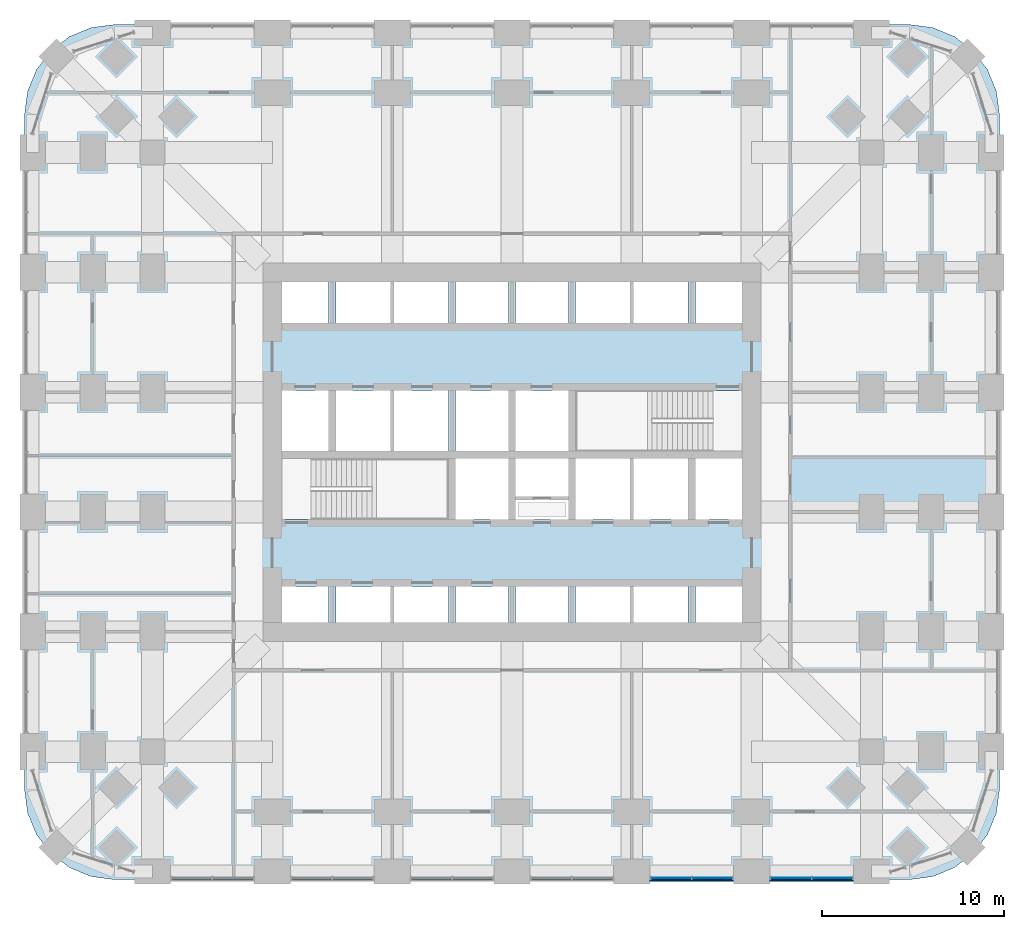
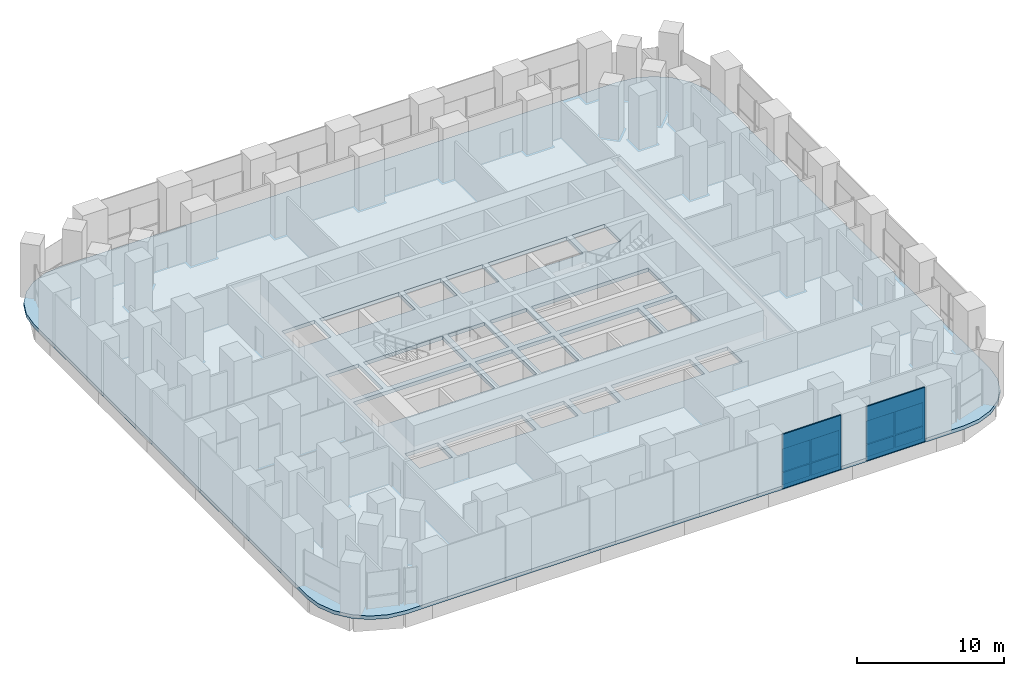
# One storey, part 8 of 17: 10 plates, 1 slab, 2 elements without a shape of their own.
"""IFC4 building model written with IfcOpenShell, lengths in metres."""

from ifc_helpers import new_model, si_unit, direction, frame, origin, origin_2d, place, context, subcontext, project, spatial, polyline, rectangle, outline, extrude, material, layer, layer_set, type_object, element, aggregate, save


model = new_model("IFC4")

# Units and contexts
model_context = context("Model", 3, precision=1e-05, world=origin(), true_north=direction((0.0, 1.0)))
body_context = subcontext(model_context, "Body", "Model", "MODEL_VIEW")
ifc_project = project(units=[si_unit("LENGTHUNIT", "METRE"), si_unit("AREAUNIT", "SQUARE_METRE"), si_unit("VOLUMEUNIT", "CUBIC_METRE"), si_unit("PLANEANGLEUNIT", "RADIAN"), si_unit("MASSUNIT", "GRAM", prefix="KILO")], contexts=[model_context])

# Site, building, storey
site_placement = place(None, origin())
site = spatial("IfcSite", under=ifc_project, at=site_placement, CompositionType="ELEMENT")
building_placement = place(site_placement, origin())
building = spatial("IfcBuilding", under=site, at=building_placement, Name="Cobogo Forest Laboratory Tower", CompositionType="ELEMENT")
storey_placement = place(building_placement, frame((0.0, 0.0, 12.60009765625)))
storey = spatial("IfcBuildingStorey", under=building, at=storey_placement, Name="L02", CompositionType="ELEMENT", Elevation=12.60009765625)

# Plates
ifc_material_1 = material(Name="Pierced concrete block", Category="concrete")
ifc_layer_1 = layer(ifc_material_1, 0.10009765625)
ifc_layer_set_1 = layer_set([ifc_layer_1], Name="CO1 cobogo block screen 100")
plate_type_1 = type_object("IfcPlateType", Name="CO1 cobogo block screen 100", PredefinedType="USERDEFINED", material=ifc_layer_set_1)
for number, where, z_axis, x_axis, name in (
    (1, (36.300048828125, -0.5, -0.150146484375), (0.0, 0.0, 1.0), (1.0, 0.0, 0.0), "Cobogo screen S5 L02"),
    (2, (42.89990234375, -0.5, -0.150146484375), (0.0, 0.0, 1.0), (1.0, 0.0, 0.0), "Cobogo screen S6 L02"),
):
    element("IfcPlate", number, at=place(storey_placement, frame(where, z_axis=z_axis, x_axis=x_axis)), inside=storey, type_object=plate_type_1, Name=name, ObjectType="COBOGO SCREEN", PredefinedType="USERDEFINED", context=body_context, shape_type="SweptSolid", body=[
        extrude(rectangle(XDim=4.60009765625, YDim=0.10009765625, at=origin_2d()), origin(), (0.0, 0.0, 1.0), 4.5),
    ])

# Slab
ifc_material_2 = material(Name="Concrete HA-40 (C40/50)", Category="concrete")
ifc_layer_2 = layer(ifc_material_2, 0.300048828125)
ifc_layer_set_2 = layer_set([ifc_layer_2], Name="Floor slab 300")
slab_type = type_object("IfcSlabType", Name="Floor slab 300", PredefinedType="FLOOR", material=ifc_layer_set_2)
slab_placement = place(storey_placement, frame((0.0, 0.0, -0.300048828125)))
element("IfcSlab", 3, at=slab_placement, inside=storey, type_object=slab_type, Name="L02 floor slab", PredefinedType="FLOOR", context=body_context, shape_type="SweptSolid", body=[
    extrude(outline(polyline([(48.300048828125, -0.449951171875), (49.5810546875, -0.28125), (50.77490234375, 0.213134765625), (51.80029296875, 0.999755859375), (52.5869140625, 2.02490234375), (53.081298828125, 3.21875), (53.25, 4.5), (53.25, 41.699951171875), (53.081298828125, 42.981201171875), (52.5869140625, 44.175048828125), (51.80029296875, 45.2001953125), (50.77490234375, 45.98681640625), (49.5810546875, 46.4814453125), (48.300048828125, 46.64990234375), (4.5, 46.64990234375), (3.21875, 46.4814453125), (2.02490234375, 45.98681640625), (0.999755859375, 45.2001953125), (0.213134765625, 44.175048828125), (-0.28125, 42.981201171875), (-0.449951171875, 41.699951171875), (-0.449951171875, 4.5), (-0.28125, 3.21875), (0.213134765625, 2.02490234375), (0.999755859375, 0.999755859375), (2.02490234375, 0.213134765625), (3.21875, -0.28125), (4.5, -0.449951171875), (48.300048828125, -0.449951171875)]), holes=[polyline([(16.300048828125, 13.72509765625), (13.72509765625, 13.72509765625), (13.72509765625, 15.699951171875), (16.300048828125, 15.699951171875), (16.300048828125, 13.72509765625)]), polyline([(22.89990234375, 15.699951171875), (22.89990234375, 13.72509765625), (16.699951171875, 13.72509765625), (16.699951171875, 15.699951171875), (22.89990234375, 15.699951171875)]), polyline([(23.300048828125, 13.72509765625), (23.300048828125, 15.699951171875), (26.199951171875, 15.699951171875), (26.199951171875, 13.72509765625), (23.300048828125, 13.72509765625)]), polyline([(29.5, 13.72509765625), (26.60009765625, 13.72509765625), (26.60009765625, 15.699951171875), (29.5, 15.699951171875), (29.5, 13.72509765625)]), polyline([(36.10009765625, 15.699951171875), (36.10009765625, 13.72509765625), (29.89990234375, 13.72509765625), (29.89990234375, 15.699951171875), (36.10009765625, 15.699951171875)]), polyline([(36.5, 13.72509765625), (36.5, 15.699951171875), (39.074951171875, 15.699951171875), (39.074951171875, 13.72509765625), (36.5, 13.72509765625)]), polyline([(13.72509765625, 19.39990234375), (13.72509765625, 22.75), (22.89990234375, 22.75), (22.89990234375, 19.39990234375), (13.72509765625, 19.39990234375)]), polyline([(23.300048828125, 19.39990234375), (23.300048828125, 22.75), (26.199951171875, 22.75), (26.199951171875, 19.39990234375), (23.300048828125, 19.39990234375)]), polyline([(26.60009765625, 19.39990234375), (26.60009765625, 22.75), (29.5, 22.75), (29.5, 19.39990234375), (26.60009765625, 19.39990234375)]), polyline([(36.10009765625, 22.75), (36.10009765625, 19.39990234375), (29.89990234375, 19.39990234375), (29.89990234375, 22.75), (36.10009765625, 22.75)]), polyline([(39.074951171875, 19.39990234375), (36.5, 19.39990234375), (36.5, 22.75), (39.074951171875, 22.75), (39.074951171875, 19.39990234375)]), polyline([(13.72509765625, 23.14990234375), (13.72509765625, 26.5), (16.300048828125, 26.5), (16.300048828125, 23.14990234375), (13.72509765625, 23.14990234375)]), polyline([(22.89990234375, 26.5), (22.89990234375, 23.14990234375), (16.699951171875, 23.14990234375), (16.699951171875, 26.5), (22.89990234375, 26.5)]), polyline([(23.300048828125, 23.14990234375), (23.300048828125, 26.5), (26.199951171875, 26.5), (26.199951171875, 23.14990234375), (23.300048828125, 23.14990234375)]), polyline([(26.60009765625, 23.14990234375), (26.60009765625, 26.5), (29.5, 26.5), (29.5, 23.14990234375), (26.60009765625, 23.14990234375)]), polyline([(29.89990234375, 23.14990234375), (29.89990234375, 26.5), (39.074951171875, 26.5), (39.074951171875, 23.14990234375), (29.89990234375, 23.14990234375)]), polyline([(13.72509765625, 30.199951171875), (13.72509765625, 32.47509765625), (16.300048828125, 32.47509765625), (16.300048828125, 30.199951171875), (13.72509765625, 30.199951171875)]), polyline([(22.89990234375, 32.47509765625), (22.89990234375, 30.199951171875), (16.699951171875, 30.199951171875), (16.699951171875, 32.47509765625), (22.89990234375, 32.47509765625)]), polyline([(23.300048828125, 30.199951171875), (23.300048828125, 32.47509765625), (26.199951171875, 32.47509765625), (26.199951171875, 30.199951171875), (23.300048828125, 30.199951171875)]), polyline([(26.60009765625, 30.199951171875), (26.60009765625, 32.47509765625), (29.5, 32.47509765625), (29.5, 30.199951171875), (26.60009765625, 30.199951171875)]), polyline([(36.10009765625, 32.47509765625), (36.10009765625, 30.199951171875), (29.89990234375, 30.199951171875), (29.89990234375, 32.47509765625), (36.10009765625, 32.47509765625)]), polyline([(36.5, 30.199951171875), (36.5, 32.47509765625), (39.074951171875, 32.47509765625), (39.074951171875, 30.199951171875), (36.5, 30.199951171875)])]), origin(), (0.0, 0.0, 1.0), 0.300048828125),
])

# Curtain wall, plates
ifc_material_3 = material(Name="Aluminium curtain wall", Category="aluminium")
curtain_wall_type = type_object("IfcCurtainWallType", Name="CW-K stick curtain wall, podium laboratories", PredefinedType="USERDEFINED", material=ifc_material_3)
curtain_wall_1_placement = place(storey_placement, origin())
curtain_wall_1 = element("IfcCurtainWall", 4, at=curtain_wall_1_placement, inside=storey, type_object=curtain_wall_type, Name="Curtain wall 05 L02", ObjectType="STICK CURTAIN WALL", PredefinedType="USERDEFINED")
ifc_material_4 = material(Name="Clear insulated glass", Category="glass")
ifc_layer_3 = layer(ifc_material_4, 0.028076171875)
ifc_layer_set_3 = layer_set([ifc_layer_3], Name="GP-1 clear insulated glass unit 28")
plate_type_2 = type_object("IfcPlateType", Name="GP-1 clear insulated glass unit 28", PredefinedType="CURTAIN_PANEL", material=ifc_layer_set_3)
plate_1_placement = place(storey_placement, frame((35.1650390625, -0.35009765625, 0.0), z_axis=(0.0, 0.0, 1.0), x_axis=(1.0, 0.0, 0.0)))
plate_1 = element("IfcPlate", 5, at=plate_1_placement, type_object=plate_type_2, Name="CW-K panel 1.1", PredefinedType="CURTAIN_PANEL", context=body_context, shape_type="SweptSolid", body=[
    extrude(rectangle(XDim=2.2099609375, YDim=0.028076171875, at=origin_2d()), origin(), (0.0, 0.0, 1.0), 1.02001953125),
])
plate_2_placement = place(storey_placement, frame((35.1650390625, -0.35009765625, 1.079833984375), z_axis=(0.0, 0.0, 1.0), x_axis=(1.0, 0.0, 0.0)))
plate_2 = element("IfcPlate", 6, at=plate_2_placement, type_object=plate_type_2, Name="CW-K panel 1.2", PredefinedType="CURTAIN_PANEL", context=body_context, shape_type="SweptSolid", body=[
    extrude(rectangle(XDim=2.2099609375, YDim=0.028076171875, at=origin_2d()), origin(), (0.0, 0.0, 1.0), 1.919921875),
])
plate_3_placement = place(storey_placement, frame((37.43505859375, -0.35009765625, 0.0), z_axis=(0.0, 0.0, 1.0), x_axis=(1.0, 0.0, 0.0)))
plate_3 = element("IfcPlate", 7, at=plate_3_placement, type_object=plate_type_2, Name="CW-K panel 2.1", PredefinedType="CURTAIN_PANEL", context=body_context, shape_type="SweptSolid", body=[
    extrude(rectangle(XDim=2.2099609375, YDim=0.028076171875, at=origin_2d()), origin(), (0.0, 0.0, 1.0), 1.02001953125),
])
plate_4_placement = place(storey_placement, frame((37.43505859375, -0.35009765625, 1.079833984375), z_axis=(0.0, 0.0, 1.0), x_axis=(1.0, 0.0, 0.0)))
plate_4 = element("IfcPlate", 8, at=plate_4_placement, type_object=plate_type_2, Name="CW-K panel 2.2", PredefinedType="CURTAIN_PANEL", context=body_context, shape_type="SweptSolid", body=[
    extrude(rectangle(XDim=2.2099609375, YDim=0.028076171875, at=origin_2d()), origin(), (0.0, 0.0, 1.0), 1.919921875),
])
aggregate(curtain_wall_1, [plate_1, plate_2, plate_3, plate_4])

curtain_wall_2_placement = place(storey_placement, origin())
curtain_wall_2 = element("IfcCurtainWall", 9, at=curtain_wall_2_placement, inside=storey, type_object=curtain_wall_type, Name="Curtain wall 06 L02", ObjectType="STICK CURTAIN WALL", PredefinedType="USERDEFINED")
plate_5_placement = place(storey_placement, frame((41.764892578125, -0.35009765625, 0.0), z_axis=(0.0, 0.0, 1.0), x_axis=(1.0, 0.0, 0.0)))
plate_5 = element("IfcPlate", 10, at=plate_5_placement, type_object=plate_type_2, Name="CW-K panel 1.1", PredefinedType="CURTAIN_PANEL", context=body_context, shape_type="SweptSolid", body=[
    extrude(rectangle(XDim=2.2099609375, YDim=0.028076171875, at=origin_2d()), origin(), (0.0, 0.0, 1.0), 1.02001953125),
])
plate_6_placement = place(storey_placement, frame((41.764892578125, -0.35009765625, 1.079833984375), z_axis=(0.0, 0.0, 1.0), x_axis=(1.0, 0.0, 0.0)))
plate_6 = element("IfcPlate", 11, at=plate_6_placement, type_object=plate_type_2, Name="CW-K panel 1.2", PredefinedType="CURTAIN_PANEL", context=body_context, shape_type="SweptSolid", body=[
    extrude(rectangle(XDim=2.2099609375, YDim=0.028076171875, at=origin_2d()), origin(), (0.0, 0.0, 1.0), 1.919921875),
])
plate_7_placement = place(storey_placement, frame((44.034912109375, -0.35009765625, 0.0), z_axis=(0.0, 0.0, 1.0), x_axis=(1.0, 0.0, 0.0)))
plate_7 = element("IfcPlate", 12, at=plate_7_placement, type_object=plate_type_2, Name="CW-K panel 2.1", PredefinedType="CURTAIN_PANEL", context=body_context, shape_type="SweptSolid", body=[
    extrude(rectangle(XDim=2.2099609375, YDim=0.028076171875, at=origin_2d()), origin(), (0.0, 0.0, 1.0), 1.02001953125),
])
plate_8_placement = place(storey_placement, frame((44.034912109375, -0.35009765625, 1.079833984375), z_axis=(0.0, 0.0, 1.0), x_axis=(1.0, 0.0, 0.0)))
plate_8 = element("IfcPlate", 13, at=plate_8_placement, type_object=plate_type_2, Name="CW-K panel 2.2", PredefinedType="CURTAIN_PANEL", context=body_context, shape_type="SweptSolid", body=[
    extrude(rectangle(XDim=2.2099609375, YDim=0.028076171875, at=origin_2d()), origin(), (0.0, 0.0, 1.0), 1.919921875),
])
aggregate(curtain_wall_2, [plate_5, plate_6, plate_7, plate_8])

save(model, "model.ifc")
